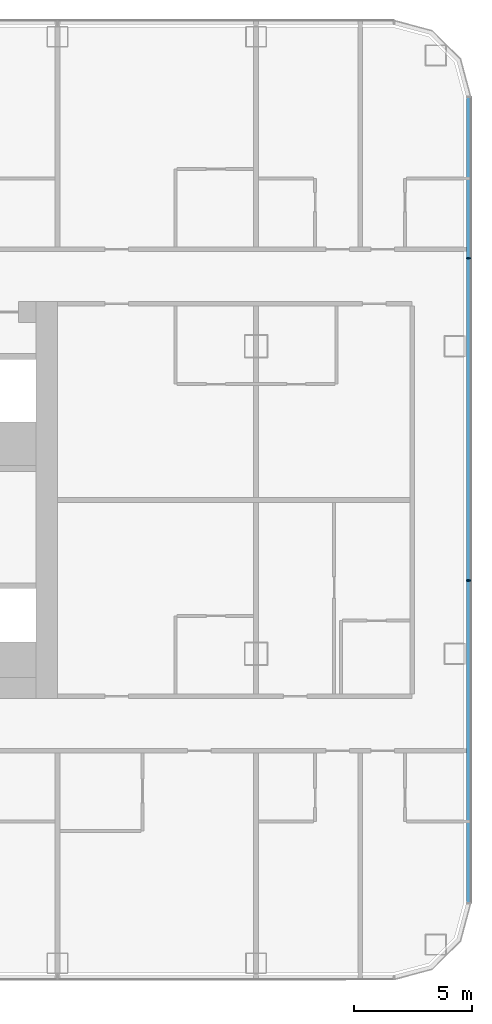
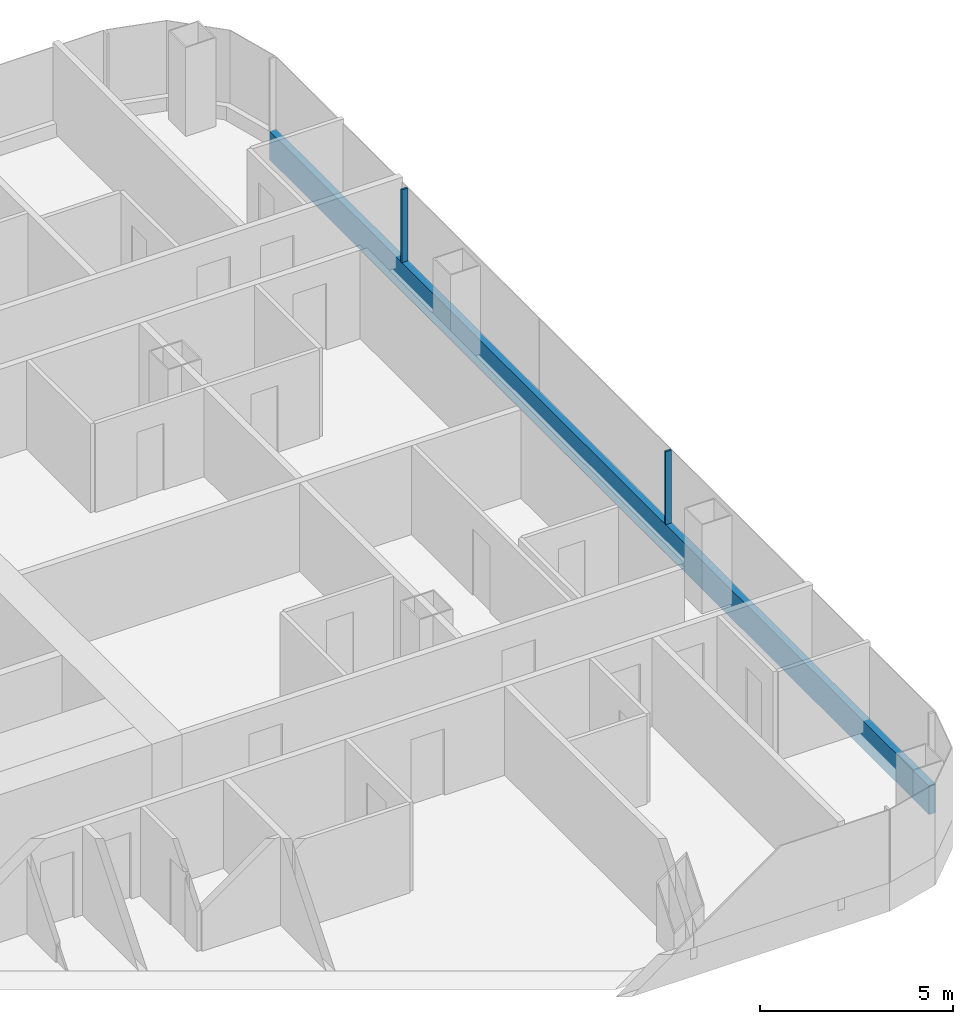
# One storey, part 10 of 28: 3 members, 1 element without a shape of its own.
"""IFC4 building model written with IfcOpenShell, lengths in metres."""

from ifc_helpers import new_model, si_unit, direction, frame, origin, origin_2d, place, context, subcontext, project, spatial, rectangle, extrude, material, layer, layer_set, material_profile, profile_set, type_object, element, aggregate, save


model = new_model("IFC4")

# Units and contexts
model_context = context("Model", 3, precision=1e-05, world=origin(), true_north=direction((0.0, 1.0)))
body_context = subcontext(model_context, "Body", "Model", "MODEL_VIEW")
ifc_project = project(units=[si_unit("LENGTHUNIT", "METRE"), si_unit("AREAUNIT", "SQUARE_METRE"), si_unit("VOLUMEUNIT", "CUBIC_METRE"), si_unit("PLANEANGLEUNIT", "RADIAN"), si_unit("MASSUNIT", "GRAM", prefix="KILO")], contexts=[model_context])

# Site, building, storey
site_placement = place(None, origin())
site = spatial("IfcSite", under=ifc_project, at=site_placement, CompositionType="ELEMENT")
building_placement = place(site_placement, origin())
building = spatial("IfcBuilding", under=site, at=building_placement, Name="Hakoniwa Tower and Hamabe Station Hall", CompositionType="ELEMENT")
storey_placement = place(building_placement, frame((0.0, 0.0, 58.199951171875)))
storey = spatial("IfcBuildingStorey", under=building, at=storey_placement, Name="L16", CompositionType="ELEMENT", Elevation=58.199951171875)

# Curtain wall, members
ifc_material_1 = material(Name="Dark low-e laminated glass", Category="glass")
ifc_layer = layer(ifc_material_1, 0.199951171875)
ifc_layer_set = layer_set([ifc_layer], Name="CW-1 UNITISED GUEST")
curtain_wall_type = type_object("IfcCurtainWallType", Name="CW-1 UNITISED GUEST", PredefinedType="NOTDEFINED", material=ifc_layer_set)
curtain_wall_placement = place(storey_placement, origin())
curtain_wall = element("IfcCurtainWall", 1, at=curtain_wall_placement, inside=storey, type_object=curtain_wall_type, Name="CW-1 curtain wall", PredefinedType="NOTDEFINED")
ifc_material_2 = material(Name="Aluminium 6063-T5 black anodised", Category="aluminium")
ifc_material_profile_1 = material_profile(ifc_material_2, rectangle(XDim=0.199951171875, YDim=0.89990234375, at=origin_2d()), Name="CW SLAB-EDGE BAND 900X200")
ifc_profile_set_1 = profile_set([ifc_material_profile_1], Name="Aluminium 6063-T5 black anodised")
member_type_1 = type_object("IfcMemberType", Name="CW SLAB-EDGE BAND 900X200", PredefinedType="USERDEFINED", material=ifc_profile_set_1)
member_1_placement = place(storey_placement, frame((51.0, -17.03955078125, -0.099853515625), z_axis=(0.0, 1.0, 0.0), x_axis=(-1.0, 0.0, 0.0)))
member_1 = element("IfcMember", 2, at=member_1_placement, type_object=member_type_1, Name="CW-1 transom", ObjectType="TRANSOM", PredefinedType="USERDEFINED", context=body_context, shape_type="SweptSolid", body=[
    extrude(rectangle(XDim=0.199951171875, YDim=0.89990234375, at=origin_2d()), origin(), (0.0, 0.0, 1.0), 34.0791015625),
])
ifc_material_3 = material(Name="Aluminium 6063-T5 black anodised", Category="aluminium")
ifc_material_profile_2 = material_profile(ifc_material_3, rectangle(XDim=0.06005859375, YDim=0.179931640625, at=origin_2d()), Name="CW-1 MULLION 60X180")
ifc_profile_set_2 = profile_set([ifc_material_profile_2], Name="Aluminium 6063-T5 black anodised")
member_type_2 = type_object("IfcMemberType", Name="CW-1 MULLION 60X180", PredefinedType="MULLION", material=ifc_profile_set_2)
member_2_placement = place(storey_placement, frame((50.98193359375, -3.407958984375, 0.35009765625), z_axis=(0.0, 0.0, 1.0), x_axis=(0.0, 1.0, 0.0)))
member_2 = element("IfcMember", 3, at=member_2_placement, type_object=member_type_2, Name="CW-1 mullion", PredefinedType="MULLION", context=body_context, shape_type="SweptSolid", body=[
    extrude(rectangle(XDim=0.06005859375, YDim=0.179931640625, at=origin_2d()), origin(), (0.0, 0.0, 1.0), 2.300048828125),
])
member_3_placement = place(storey_placement, frame((50.98193359375, 10.2236328125, 0.35009765625), z_axis=(0.0, 0.0, 1.0), x_axis=(0.0, 1.0, 0.0)))
member_3 = element("IfcMember", 4, at=member_3_placement, type_object=member_type_2, Name="CW-1 mullion", PredefinedType="MULLION", context=body_context, shape_type="SweptSolid", body=[
    extrude(rectangle(XDim=0.06005859375, YDim=0.179931640625, at=origin_2d()), origin(), (0.0, 0.0, 1.0), 2.300048828125),
])
aggregate(curtain_wall, [member_2, member_3, member_1])

save(model, "model.ifc")
